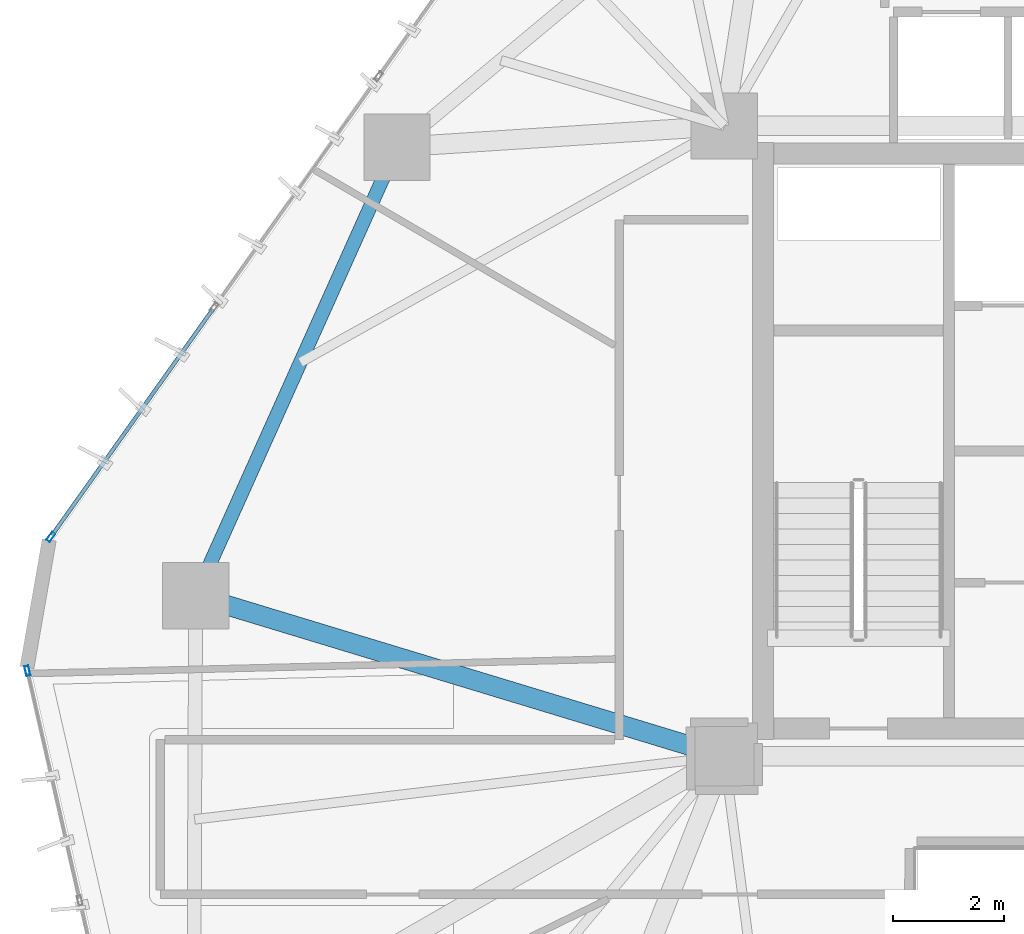
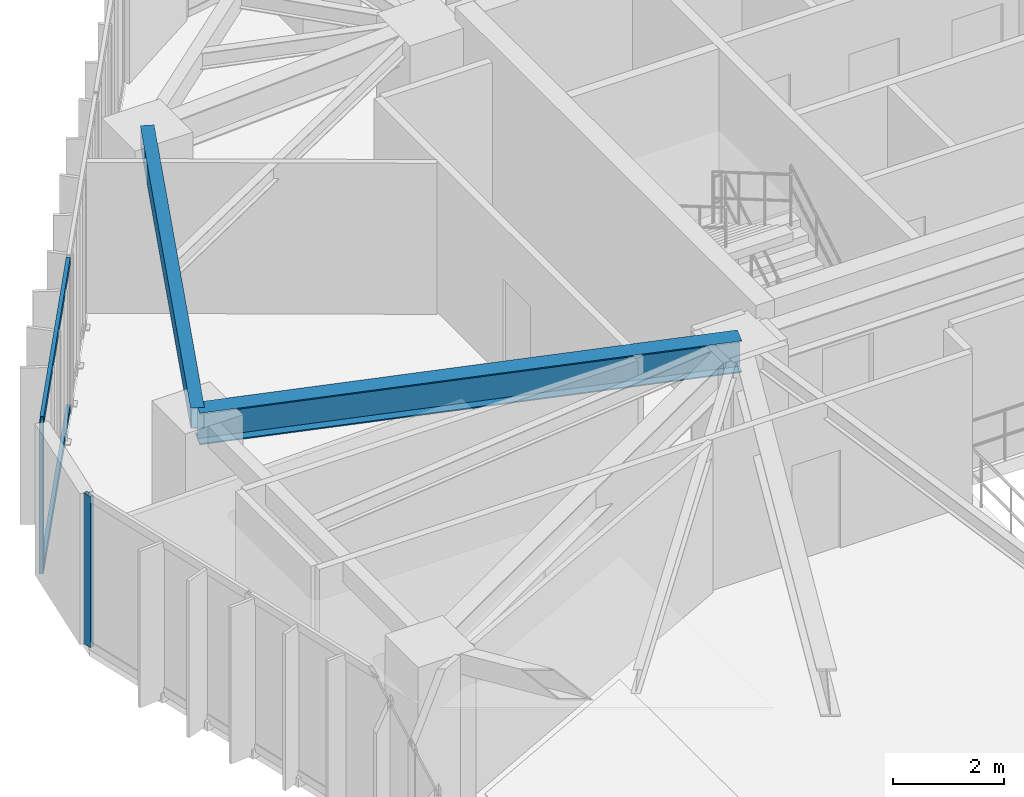
# One storey, part 8 of 22: 4 members, 2 beams, 2 elements without a shape of their own.
"""IFC4 building model written with IfcOpenShell, lengths in metres."""

from ifc_helpers import new_model, si_unit, direction, frame, origin, origin_2d, place, context, subcontext, project, spatial, hollow_rectangle, i_section, extrude, source, transform, mapped, material, layer, layer_set, material_profile, profile_set, type_object, type_shapes, element, aggregate, save


model = new_model("IFC4")

# Units and contexts
model_context = context("Model", 3, precision=1e-05, world=origin(), true_north=direction((0.0, 1.0)))
body_context = subcontext(model_context, "Body", "Model", "MODEL_VIEW")
ifc_project = project(units=[si_unit("LENGTHUNIT", "METRE"), si_unit("AREAUNIT", "SQUARE_METRE"), si_unit("VOLUMEUNIT", "CUBIC_METRE"), si_unit("PLANEANGLEUNIT", "RADIAN"), si_unit("MASSUNIT", "GRAM", prefix="KILO")], contexts=[model_context])

# Site, building, storey
site_placement = place(None, origin())
site = spatial("IfcSite", under=ifc_project, at=site_placement, CompositionType="ELEMENT")
building_placement = place(site_placement, origin())
building = spatial("IfcBuilding", under=site, at=building_placement, Name="Talar Marvaseh", CompositionType="ELEMENT")
storey_placement = place(building_placement, frame((0.0, 0.0, 121.800048828125)))
storey = spatial("IfcBuildingStorey", under=building, at=storey_placement, Name="L31", CompositionType="ELEMENT", Elevation=121.800048828125)

# Beams
ifc_material_1 = material(Name="Steel S355", Category="steel")
ifc_material_profile_1 = material_profile(ifc_material_1, hollow_rectangle(XDim=0.25, YDim=0.449951171875, WallThickness=0.01611328125, at=origin_2d()), Name="RHS450x250x16")
ifc_profile_set_1 = profile_set([ifc_material_profile_1], Name="Steel S355")
beam_type_1 = type_object("IfcBeamType", Name="Zone 2 Perimeter Spandrel Beam RHS450x250x16", PredefinedType="SPANDREL", material=ifc_profile_set_1)
beam_1_placement = place(storey_placement, frame((9.137939453125, 28.402099609375, 3.0849609375), z_axis=(0.409461733275, 0.912327292688, 0.0), x_axis=(-0.912327292688, 0.409461733275, 0.0)))
element("IfcBeam", 1, at=beam_1_placement, inside=storey, type_object=beam_type_1, Name="L31 Zone 2 Perimeter Spandrel Beam RHS450x250x16", PredefinedType="SPANDREL", context=body_context, shape_type="SweptSolid", body=[
    extrude(hollow_rectangle(XDim=0.25, YDim=0.449951171875, WallThickness=0.01611328125, at=origin_2d()), origin(), (0.0, 0.0, 1.0), 8.894775390625),
])
ifc_material_profile_2 = material_profile(ifc_material_1, i_section(OverallWidth=0.35498046875, OverallDepth=0.695068359375, WebThickness=0.015380859375, FlangeThickness=0.02490234375, at=origin_2d()), Name="W690x217")
ifc_profile_set_2 = profile_set([ifc_material_profile_2], Name="Steel S355")
beam_type_2 = type_object("IfcBeamType", Name="Zone 2 Radial Floor Girder W690x217", PredefinedType="BEAM", material=ifc_profile_set_2)
beam_2_placement = place(storey_placement, frame((9.137939453125, 28.402099609375, 2.96240234375), z_axis=(0.956898764921, -0.290421682546, 0.0), x_axis=(0.290421682546, 0.956898764921, 0.0)))
element("IfcBeam", 2, at=beam_2_placement, inside=storey, type_object=beam_type_2, Name="L31 Zone 2 Radial Floor Girder W690x217", PredefinedType="BEAM", context=body_context, shape_type="SweptSolid", body=[
    extrude(i_section(OverallWidth=0.35498046875, OverallDepth=0.695068359375, WebThickness=0.015380859375, FlangeThickness=0.02490234375, at=origin_2d()), origin(), (0.0, 0.0, 1.0), 9.99267578125),
])

# Curtain wall, member
ifc_material_2 = material(Name="Architectural Aluminium", Category="aluminium")
ifc_layer = layer(ifc_material_2, 0.199951171875)
ifc_layer_set = layer_set([ifc_layer], Name="Architectural Aluminium")
curtain_wall_type = type_object("IfcCurtainWallType", Name="Unitised Acoustic Library Curtain Wall Z2", PredefinedType="NOTDEFINED", material=ifc_layer_set)
curtain_wall_1_placement = place(storey_placement, origin())
curtain_wall_1 = element("IfcCurtainWall", 3, at=curtain_wall_1_placement, inside=storey, type_object=curtain_wall_type, Name="L31 Unitised Acoustic Library Curtain Wall Z2", PredefinedType="NOTDEFINED")
ifc_material_profile_3 = material_profile(ifc_material_2, hollow_rectangle(XDim=0.074951171875, YDim=0.179931640625, WallThickness=0.0048828125, at=origin_2d()), Name="RHS180x75x5")
ifc_profile_set_3 = profile_set([ifc_material_profile_3], Name="Architectural Aluminium")
member_type_1 = type_object("IfcMemberType", Name="Unitised Curtain Wall Standard Mullion RHS180x75x5", PredefinedType="MULLION", material=ifc_profile_set_3)
shared_shape_1 = source(origin(), body_context, "Body", "SweptSolid", [
    extrude(hollow_rectangle(XDim=0.074951171875, YDim=0.179931640625, WallThickness=0.0048828125, at=origin_2d()), origin(), (0.0, 0.0, 1.0), 3.31005859375),
])
type_shapes(member_type_1, [shared_shape_1])
member_1_placement = place(storey_placement, frame((6.095458984375, 27.044677734375, 0.0), z_axis=(0.0, 0.0, 1.0), x_axis=(-0.974970261082, -0.222335309848, 0.0)))
member_1 = element("IfcMember", 4, at=member_1_placement, type_object=member_type_1, Name="CW-Z2 mullion 5", PredefinedType="MULLION", context=body_context, shape_type="MappedRepresentation", body=[
    mapped(shared_shape_1, transform((0.0, 0.0, 0.0), x_axis=(1.0, 0.0, 0.0), y_axis=(0.0, 1.0, 0.0), z_axis=(0.0, 0.0, 1.0), scale=1.0)),
])
aggregate(curtain_wall_1, [member_1])

# Curtain wall, members
curtain_wall_2_placement = place(storey_placement, origin())
curtain_wall_2 = element("IfcCurtainWall", 5, at=curtain_wall_2_placement, inside=storey, type_object=curtain_wall_type, Name="L31 Unitised Acoustic Library Curtain Wall Z2", PredefinedType="NOTDEFINED")
member_2_placement = place(storey_placement, frame((6.52001953125, 29.466064453125, 0.0), z_axis=(0.0, 0.0, 1.0), x_axis=(-0.814803767778, 0.579736854112, 0.0)))
member_2 = element("IfcMember", 6, at=member_2_placement, type_object=member_type_1, Name="CW-Z2 mullion 1", PredefinedType="MULLION", context=body_context, shape_type="MappedRepresentation", body=[
    mapped(shared_shape_1, transform((0.0, 0.0, 0.0), x_axis=(1.0, 0.0, 0.0), y_axis=(0.0, 1.0, 0.0), z_axis=(0.0, 0.0, 1.0), scale=1.0)),
])
ifc_material_profile_4 = material_profile(ifc_material_2, hollow_rectangle(XDim=0.074951171875, YDim=0.179931640625, WallThickness=0.0048828125, at=origin_2d()), Name="RHS180x75x5")
ifc_profile_set_4 = profile_set([ifc_material_profile_4], Name="Architectural Aluminium")
member_type_2 = type_object("IfcMemberType", Name="Unitised Curtain Wall Transom RHS180x75x5", PredefinedType="USERDEFINED", material=ifc_profile_set_4)
shared_shape_2 = source(origin(), body_context, "Body", "SweptSolid", [
    extrude(hollow_rectangle(XDim=0.074951171875, YDim=0.179931640625, WallThickness=0.0048828125, at=origin_2d()), origin(), (0.0, 0.0, 1.0), 5.017578125),
])
type_shapes(member_type_2, [shared_shape_2])
member_3_placement = place(storey_placement, frame((6.541748046875, 29.49658203125, 0.037353515625), z_axis=(0.579709050845, 0.814823549223, 0.0), x_axis=(-0.814823549223, 0.579709050845, 0.0)))
member_3 = element("IfcMember", 7, at=member_3_placement, type_object=member_type_2, Name="CW-Z2 transom 1.1", ObjectType="TRANSOM", PredefinedType="USERDEFINED", context=body_context, shape_type="MappedRepresentation", body=[
    mapped(shared_shape_2, transform((0.0, 0.0, 0.0), x_axis=(1.0, 0.0, 0.0), y_axis=(0.0, 1.0, 0.0), z_axis=(0.0, 0.0, 1.0), scale=1.0)),
])
member_4_placement = place(storey_placement, frame((6.541748046875, 29.49658203125, 3.2724609375), z_axis=(0.579709050845, 0.814823549223, 0.0), x_axis=(-0.814823549223, 0.579709050845, 0.0)))
member_4 = element("IfcMember", 8, at=member_4_placement, type_object=member_type_2, Name="CW-Z2 transom 1.2", ObjectType="TRANSOM", PredefinedType="USERDEFINED", context=body_context, shape_type="MappedRepresentation", body=[
    mapped(shared_shape_2, transform((0.0, 0.0, 0.0), x_axis=(1.0, 0.0, 0.0), y_axis=(0.0, 1.0, 0.0), z_axis=(0.0, 0.0, 1.0), scale=1.0)),
])
aggregate(curtain_wall_2, [member_2, member_3, member_4])

save(model, "model.ifc")
